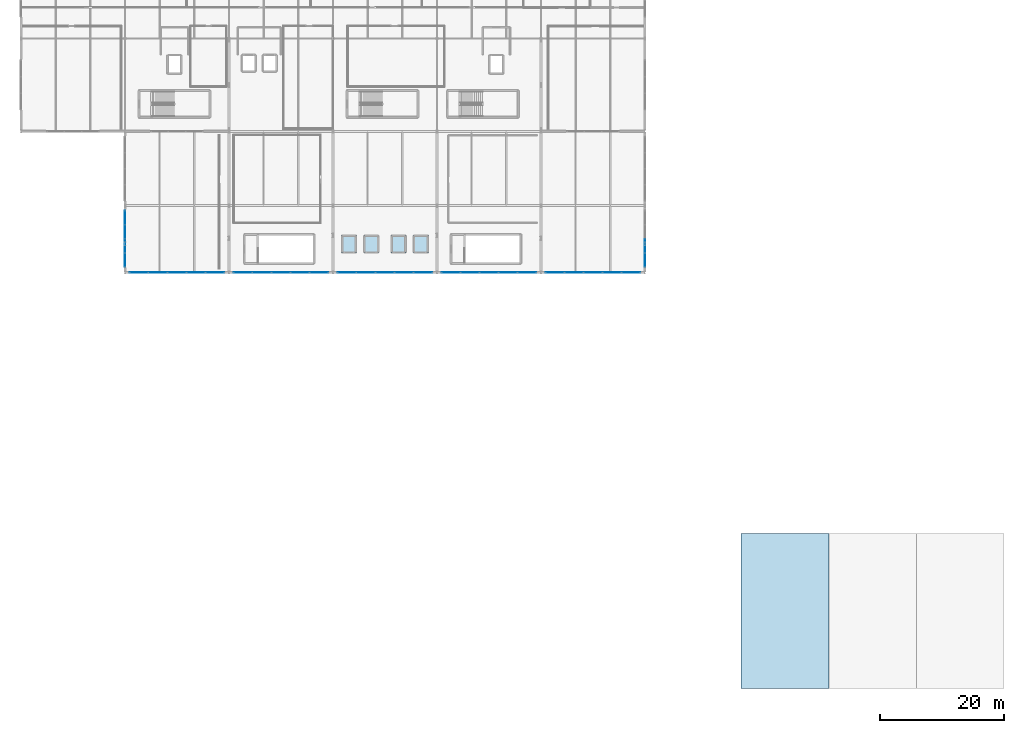
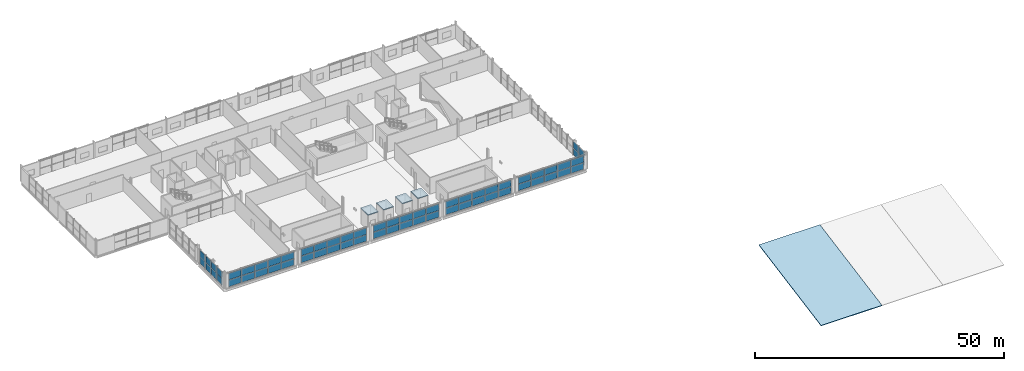
# One storey, part 26 of 39: 62 plates, 5 slabs, 7 elements without a shape of their own.
"""IFC4 building model written with IfcOpenShell, lengths in metres."""

from ifc_helpers import new_model, si_unit, direction, frame, origin, origin_2d, place, context, subcontext, project, spatial, polyline, rectangle, outline, extrude, material, layer, layer_set, type_object, element, aggregate, save


model = new_model("IFC4")

# Units and contexts
model_context = context("Model", 3, precision=1e-05, world=origin(), true_north=direction((0.0, 1.0)))
body_context = subcontext(model_context, "Body", "Model", "MODEL_VIEW")
ifc_project = project(units=[si_unit("LENGTHUNIT", "METRE"), si_unit("AREAUNIT", "SQUARE_METRE"), si_unit("VOLUMEUNIT", "CUBIC_METRE"), si_unit("PLANEANGLEUNIT", "RADIAN"), si_unit("MASSUNIT", "GRAM", prefix="KILO")], contexts=[model_context])

# Site, building, storey
site_placement = place(None, origin())
site = spatial("IfcSite", under=ifc_project, at=site_placement, CompositionType="ELEMENT")
building_placement = place(site_placement, origin())
building = spatial("IfcBuilding", under=site, at=building_placement, Name="Kimbaza Rail Terminus", CompositionType="ELEMENT")
storey_placement = place(building_placement, frame((0.0, 0.0, 16.800048828125)))
storey = spatial("IfcBuildingStorey", under=building, at=storey_placement, Name="L03", CompositionType="ELEMENT", Elevation=16.800048828125)

# Curtain wall, plates
ifc_material_1 = material(Name="Anodised aluminium framing and solar low-E glazing", Category="aluminium")
curtain_wall_type = type_object("IfcCurtainWallType", Name="ARC-CW-BRG", PredefinedType="USERDEFINED", material=ifc_material_1)
curtain_wall_1_placement = place(storey_placement, origin())
curtain_wall_1 = element("IfcCurtainWall", 1, at=curtain_wall_1_placement, inside=storey, type_object=curtain_wall_type, Name="Over-Track Footbridge W Panoramic Curtain Wall 1", ObjectType="UNITISED CURTAIN WALL", PredefinedType="USERDEFINED")
ifc_material_2 = material(Name="Solar-control double low-E glazing", Category="glass")
ifc_layer_1 = layer(ifc_material_2, 0.030029296875)
ifc_layer_set_1 = layer_set([ifc_layer_1], Name="Solar-control double low-E glazing")
plate_type = type_object("IfcPlateType", Name="ARC-CWP-03", PredefinedType="CURTAIN_PANEL", material=ifc_layer_set_1)
plate_1_placement = place(storey_placement, frame((72.0, 82.219482421875, 0.06787109375), z_axis=(0.0, 0.0, 1.0), x_axis=(0.0, 1.0, 0.0)))
plate_1 = element("IfcPlate", 2, at=plate_1_placement, type_object=plate_type, Name="CW-03 panel 1.1", PredefinedType="CURTAIN_PANEL", context=body_context, shape_type="SweptSolid", body=[
    extrude(rectangle(XDim=2.18310546875, YDim=0.030029296875, at=origin_2d()), origin(), (0.0, 0.0, 1.0), 1.5830078125),
])
plate_2_placement = place(storey_placement, frame((72.0, 82.219482421875, 1.718994140625), z_axis=(0.0, 0.0, 1.0), x_axis=(0.0, 1.0, 0.0)))
plate_2 = element("IfcPlate", 3, at=plate_2_placement, type_object=plate_type, Name="CW-03 panel 1.2", PredefinedType="CURTAIN_PANEL", context=body_context, shape_type="SweptSolid", body=[
    extrude(rectangle(XDim=2.18310546875, YDim=0.030029296875, at=origin_2d()), origin(), (0.0, 0.0, 1.0), 1.5830078125),
])
plate_3_placement = place(storey_placement, frame((72.0, 84.487548828125, 0.06787109375), z_axis=(0.0, 0.0, 1.0), x_axis=(0.0, 1.0, 0.0)))
plate_3 = element("IfcPlate", 4, at=plate_3_placement, type_object=plate_type, Name="CW-03 panel 2.1", PredefinedType="CURTAIN_PANEL", context=body_context, shape_type="SweptSolid", body=[
    extrude(rectangle(XDim=2.217041015625, YDim=0.030029296875, at=origin_2d()), origin(), (0.0, 0.0, 1.0), 1.5830078125),
])
plate_4_placement = place(storey_placement, frame((72.0, 84.487548828125, 1.718994140625), z_axis=(0.0, 0.0, 1.0), x_axis=(0.0, 1.0, 0.0)))
plate_4 = element("IfcPlate", 5, at=plate_4_placement, type_object=plate_type, Name="CW-03 panel 2.2", PredefinedType="CURTAIN_PANEL", context=body_context, shape_type="SweptSolid", body=[
    extrude(rectangle(XDim=2.217041015625, YDim=0.030029296875, at=origin_2d()), origin(), (0.0, 0.0, 1.0), 1.5830078125),
])
plate_5_placement = place(storey_placement, frame((72.0, 86.7724609375, 0.06787109375), z_axis=(0.0, 0.0, 1.0), x_axis=(0.0, 1.0, 0.0)))
plate_5 = element("IfcPlate", 6, at=plate_5_placement, type_object=plate_type, Name="CW-03 panel 3.1", PredefinedType="CURTAIN_PANEL", context=body_context, shape_type="SweptSolid", body=[
    extrude(rectangle(XDim=2.217041015625, YDim=0.030029296875, at=origin_2d()), origin(), (0.0, 0.0, 1.0), 1.5830078125),
])
plate_6_placement = place(storey_placement, frame((72.0, 86.7724609375, 1.718994140625), z_axis=(0.0, 0.0, 1.0), x_axis=(0.0, 1.0, 0.0)))
plate_6 = element("IfcPlate", 7, at=plate_6_placement, type_object=plate_type, Name="CW-03 panel 3.2", PredefinedType="CURTAIN_PANEL", context=body_context, shape_type="SweptSolid", body=[
    extrude(rectangle(XDim=2.217041015625, YDim=0.030029296875, at=origin_2d()), origin(), (0.0, 0.0, 1.0), 1.5830078125),
])
plate_7_placement = place(storey_placement, frame((72.0, 89.04052734375, 0.06787109375), z_axis=(0.0, 0.0, 1.0), x_axis=(0.0, 1.0, 0.0)))
plate_7 = element("IfcPlate", 8, at=plate_7_placement, type_object=plate_type, Name="CW-03 panel 4.1", PredefinedType="CURTAIN_PANEL", context=body_context, shape_type="SweptSolid", body=[
    extrude(rectangle(XDim=2.18310546875, YDim=0.030029296875, at=origin_2d()), origin(), (0.0, 0.0, 1.0), 1.5830078125),
])
plate_8_placement = place(storey_placement, frame((72.0, 89.04052734375, 1.718994140625), z_axis=(0.0, 0.0, 1.0), x_axis=(0.0, 1.0, 0.0)))
plate_8 = element("IfcPlate", 9, at=plate_8_placement, type_object=plate_type, Name="CW-03 panel 4.2", PredefinedType="CURTAIN_PANEL", context=body_context, shape_type="SweptSolid", body=[
    extrude(rectangle(XDim=2.18310546875, YDim=0.030029296875, at=origin_2d()), origin(), (0.0, 0.0, 1.0), 1.5830078125),
])
aggregate(curtain_wall_1, [plate_1, plate_2, plate_3, plate_4, plate_5, plate_6, plate_7, plate_8])

curtain_wall_2_placement = place(storey_placement, origin())
curtain_wall_2 = element("IfcCurtainWall", 10, at=curtain_wall_2_placement, inside=storey, type_object=curtain_wall_type, Name="Over-Track Footbridge E Panoramic Curtain Wall 1", ObjectType="UNITISED CURTAIN WALL", PredefinedType="USERDEFINED")
plate_9_placement = place(storey_placement, frame((156.0, 82.219482421875, 0.06787109375), z_axis=(0.0, 0.0, 1.0), x_axis=(0.0, 1.0, 0.0)))
plate_9 = element("IfcPlate", 11, at=plate_9_placement, type_object=plate_type, Name="CW-03 panel 1.1", PredefinedType="CURTAIN_PANEL", context=body_context, shape_type="SweptSolid", body=[
    extrude(rectangle(XDim=2.18310546875, YDim=0.030029296875, at=origin_2d()), origin(), (0.0, 0.0, 1.0), 1.623046875),
])
plate_10_placement = place(storey_placement, frame((156.0, 82.219482421875, 1.759033203125), z_axis=(0.0, 0.0, 1.0), x_axis=(0.0, 1.0, 0.0)))
plate_10 = element("IfcPlate", 12, at=plate_10_placement, type_object=plate_type, Name="CW-03 panel 1.2", PredefinedType="CURTAIN_PANEL", context=body_context, shape_type="SweptSolid", body=[
    extrude(rectangle(XDim=2.18310546875, YDim=0.030029296875, at=origin_2d()), origin(), (0.0, 0.0, 1.0), 1.623046875),
])
plate_11_placement = place(storey_placement, frame((156.0, 84.487548828125, 0.06787109375), z_axis=(0.0, 0.0, 1.0), x_axis=(0.0, 1.0, 0.0)))
plate_11 = element("IfcPlate", 13, at=plate_11_placement, type_object=plate_type, Name="CW-03 panel 2.1", PredefinedType="CURTAIN_PANEL", context=body_context, shape_type="SweptSolid", body=[
    extrude(rectangle(XDim=2.217041015625, YDim=0.030029296875, at=origin_2d()), origin(), (0.0, 0.0, 1.0), 1.623046875),
])
plate_12_placement = place(storey_placement, frame((156.0, 84.487548828125, 1.759033203125), z_axis=(0.0, 0.0, 1.0), x_axis=(0.0, 1.0, 0.0)))
plate_12 = element("IfcPlate", 14, at=plate_12_placement, type_object=plate_type, Name="CW-03 panel 2.2", PredefinedType="CURTAIN_PANEL", context=body_context, shape_type="SweptSolid", body=[
    extrude(rectangle(XDim=2.217041015625, YDim=0.030029296875, at=origin_2d()), origin(), (0.0, 0.0, 1.0), 1.623046875),
])
aggregate(curtain_wall_2, [plate_9, plate_10, plate_11, plate_12])

curtain_wall_3_placement = place(storey_placement, origin())
curtain_wall_3 = element("IfcCurtainWall", 15, at=curtain_wall_3_placement, inside=storey, type_object=curtain_wall_type, Name="Over-Track Footbridge South Curtain Wall 1", ObjectType="UNITISED CURTAIN WALL", PredefinedType="USERDEFINED")
plate_13_placement = place(storey_placement, frame((74.27294921875, 80.199951171875, 0.06787109375), z_axis=(0.0, 0.0, 1.0), x_axis=(1.0, 0.0, 0.0)))
plate_13 = element("IfcPlate", 16, at=plate_13_placement, type_object=plate_type, Name="CW-03 panel 1.1", PredefinedType="CURTAIN_PANEL", context=body_context, shape_type="SweptSolid", body=[
    extrude(rectangle(XDim=2.969970703125, YDim=0.030029296875, at=origin_2d()), origin(), (0.0, 0.0, 1.0), 1.623046875),
])
plate_14_placement = place(storey_placement, frame((74.27294921875, 80.199951171875, 1.759033203125), z_axis=(0.0, 0.0, 1.0), x_axis=(1.0, 0.0, 0.0)))
plate_14 = element("IfcPlate", 17, at=plate_14_placement, type_object=plate_type, Name="CW-03 panel 1.2", PredefinedType="CURTAIN_PANEL", context=body_context, shape_type="SweptSolid", body=[
    extrude(rectangle(XDim=2.969970703125, YDim=0.030029296875, at=origin_2d()), origin(), (0.0, 0.0, 1.0), 1.623046875),
])
plate_15_placement = place(storey_placement, frame((77.327880859375, 80.199951171875, 0.06787109375), z_axis=(0.0, 0.0, 1.0), x_axis=(1.0, 0.0, 0.0)))
plate_15 = element("IfcPlate", 18, at=plate_15_placement, type_object=plate_type, Name="CW-03 panel 2.1", PredefinedType="CURTAIN_PANEL", context=body_context, shape_type="SweptSolid", body=[
    extrude(rectangle(XDim=3.00390625, YDim=0.030029296875, at=origin_2d()), origin(), (0.0, 0.0, 1.0), 1.623046875),
])
plate_16_placement = place(storey_placement, frame((77.327880859375, 80.199951171875, 1.759033203125), z_axis=(0.0, 0.0, 1.0), x_axis=(1.0, 0.0, 0.0)))
plate_16 = element("IfcPlate", 19, at=plate_16_placement, type_object=plate_type, Name="CW-03 panel 2.2", PredefinedType="CURTAIN_PANEL", context=body_context, shape_type="SweptSolid", body=[
    extrude(rectangle(XDim=3.00390625, YDim=0.030029296875, at=origin_2d()), origin(), (0.0, 0.0, 1.0), 1.623046875),
])
plate_17_placement = place(storey_placement, frame((80.39990234375, 80.199951171875, 0.06787109375), z_axis=(0.0, 0.0, 1.0), x_axis=(1.0, 0.0, 0.0)))
plate_17 = element("IfcPlate", 20, at=plate_17_placement, type_object=plate_type, Name="CW-03 panel 3.1", PredefinedType="CURTAIN_PANEL", context=body_context, shape_type="SweptSolid", body=[
    extrude(rectangle(XDim=3.00390625, YDim=0.030029296875, at=origin_2d()), origin(), (0.0, 0.0, 1.0), 1.623046875),
])
plate_18_placement = place(storey_placement, frame((80.39990234375, 80.199951171875, 1.759033203125), z_axis=(0.0, 0.0, 1.0), x_axis=(1.0, 0.0, 0.0)))
plate_18 = element("IfcPlate", 21, at=plate_18_placement, type_object=plate_type, Name="CW-03 panel 3.2", PredefinedType="CURTAIN_PANEL", context=body_context, shape_type="SweptSolid", body=[
    extrude(rectangle(XDim=3.00390625, YDim=0.030029296875, at=origin_2d()), origin(), (0.0, 0.0, 1.0), 1.623046875),
])
plate_19_placement = place(storey_placement, frame((83.471923828125, 80.199951171875, 0.06787109375), z_axis=(0.0, 0.0, 1.0), x_axis=(1.0, 0.0, 0.0)))
plate_19 = element("IfcPlate", 22, at=plate_19_placement, type_object=plate_type, Name="CW-03 panel 4.1", PredefinedType="CURTAIN_PANEL", context=body_context, shape_type="SweptSolid", body=[
    extrude(rectangle(XDim=3.00390625, YDim=0.030029296875, at=origin_2d()), origin(), (0.0, 0.0, 1.0), 1.623046875),
])
plate_20_placement = place(storey_placement, frame((83.471923828125, 80.199951171875, 1.759033203125), z_axis=(0.0, 0.0, 1.0), x_axis=(1.0, 0.0, 0.0)))
plate_20 = element("IfcPlate", 23, at=plate_20_placement, type_object=plate_type, Name="CW-03 panel 4.2", PredefinedType="CURTAIN_PANEL", context=body_context, shape_type="SweptSolid", body=[
    extrude(rectangle(XDim=3.00390625, YDim=0.030029296875, at=origin_2d()), origin(), (0.0, 0.0, 1.0), 1.623046875),
])
plate_21_placement = place(storey_placement, frame((86.527099609375, 80.199951171875, 0.06787109375), z_axis=(0.0, 0.0, 1.0), x_axis=(1.0, 0.0, 0.0)))
plate_21 = element("IfcPlate", 24, at=plate_21_placement, type_object=plate_type, Name="CW-03 panel 5.1", PredefinedType="CURTAIN_PANEL", context=body_context, shape_type="SweptSolid", body=[
    extrude(rectangle(XDim=2.969970703125, YDim=0.030029296875, at=origin_2d()), origin(), (0.0, 0.0, 1.0), 1.623046875),
])
plate_22_placement = place(storey_placement, frame((86.527099609375, 80.199951171875, 1.759033203125), z_axis=(0.0, 0.0, 1.0), x_axis=(1.0, 0.0, 0.0)))
plate_22 = element("IfcPlate", 25, at=plate_22_placement, type_object=plate_type, Name="CW-03 panel 5.2", PredefinedType="CURTAIN_PANEL", context=body_context, shape_type="SweptSolid", body=[
    extrude(rectangle(XDim=2.969970703125, YDim=0.030029296875, at=origin_2d()), origin(), (0.0, 0.0, 1.0), 1.623046875),
])
aggregate(curtain_wall_3, [plate_13, plate_14, plate_15, plate_16, plate_17, plate_18, plate_19, plate_20, plate_21, plate_22])

curtain_wall_4_placement = place(storey_placement, origin())
curtain_wall_4 = element("IfcCurtainWall", 26, at=curtain_wall_4_placement, inside=storey, type_object=curtain_wall_type, Name="Over-Track Footbridge South Curtain Wall 2", ObjectType="UNITISED CURTAIN WALL", PredefinedType="USERDEFINED")
plate_23_placement = place(storey_placement, frame((91.072998046875, 80.199951171875, 0.06787109375), z_axis=(0.0, 0.0, 1.0), x_axis=(1.0, 0.0, 0.0)))
plate_23 = element("IfcPlate", 27, at=plate_23_placement, type_object=plate_type, Name="CW-03 panel 1.1", PredefinedType="CURTAIN_PANEL", context=body_context, shape_type="SweptSolid", body=[
    extrude(rectangle(XDim=2.969970703125, YDim=0.030029296875, at=origin_2d()), origin(), (0.0, 0.0, 1.0), 1.623046875),
])
plate_24_placement = place(storey_placement, frame((91.072998046875, 80.199951171875, 1.759033203125), z_axis=(0.0, 0.0, 1.0), x_axis=(1.0, 0.0, 0.0)))
plate_24 = element("IfcPlate", 28, at=plate_24_placement, type_object=plate_type, Name="CW-03 panel 1.2", PredefinedType="CURTAIN_PANEL", context=body_context, shape_type="SweptSolid", body=[
    extrude(rectangle(XDim=2.969970703125, YDim=0.030029296875, at=origin_2d()), origin(), (0.0, 0.0, 1.0), 1.623046875),
])
plate_25_placement = place(storey_placement, frame((94.1279296875, 80.199951171875, 0.06787109375), z_axis=(0.0, 0.0, 1.0), x_axis=(1.0, 0.0, 0.0)))
plate_25 = element("IfcPlate", 29, at=plate_25_placement, type_object=plate_type, Name="CW-03 panel 2.1", PredefinedType="CURTAIN_PANEL", context=body_context, shape_type="SweptSolid", body=[
    extrude(rectangle(XDim=3.00390625, YDim=0.030029296875, at=origin_2d()), origin(), (0.0, 0.0, 1.0), 1.623046875),
])
plate_26_placement = place(storey_placement, frame((94.1279296875, 80.199951171875, 1.759033203125), z_axis=(0.0, 0.0, 1.0), x_axis=(1.0, 0.0, 0.0)))
plate_26 = element("IfcPlate", 30, at=plate_26_placement, type_object=plate_type, Name="CW-03 panel 2.2", PredefinedType="CURTAIN_PANEL", context=body_context, shape_type="SweptSolid", body=[
    extrude(rectangle(XDim=3.00390625, YDim=0.030029296875, at=origin_2d()), origin(), (0.0, 0.0, 1.0), 1.623046875),
])
plate_27_placement = place(storey_placement, frame((97.199951171875, 80.199951171875, 0.06787109375), z_axis=(0.0, 0.0, 1.0), x_axis=(1.0, 0.0, 0.0)))
plate_27 = element("IfcPlate", 31, at=plate_27_placement, type_object=plate_type, Name="CW-03 panel 3.1", PredefinedType="CURTAIN_PANEL", context=body_context, shape_type="SweptSolid", body=[
    extrude(rectangle(XDim=3.00390625, YDim=0.030029296875, at=origin_2d()), origin(), (0.0, 0.0, 1.0), 1.623046875),
])
plate_28_placement = place(storey_placement, frame((97.199951171875, 80.199951171875, 1.759033203125), z_axis=(0.0, 0.0, 1.0), x_axis=(1.0, 0.0, 0.0)))
plate_28 = element("IfcPlate", 32, at=plate_28_placement, type_object=plate_type, Name="CW-03 panel 3.2", PredefinedType="CURTAIN_PANEL", context=body_context, shape_type="SweptSolid", body=[
    extrude(rectangle(XDim=3.00390625, YDim=0.030029296875, at=origin_2d()), origin(), (0.0, 0.0, 1.0), 1.623046875),
])
plate_29_placement = place(storey_placement, frame((100.27197265625, 80.199951171875, 0.06787109375), z_axis=(0.0, 0.0, 1.0), x_axis=(1.0, 0.0, 0.0)))
plate_29 = element("IfcPlate", 33, at=plate_29_placement, type_object=plate_type, Name="CW-03 panel 4.1", PredefinedType="CURTAIN_PANEL", context=body_context, shape_type="SweptSolid", body=[
    extrude(rectangle(XDim=3.00390625, YDim=0.030029296875, at=origin_2d()), origin(), (0.0, 0.0, 1.0), 1.623046875),
])
plate_30_placement = place(storey_placement, frame((100.27197265625, 80.199951171875, 1.759033203125), z_axis=(0.0, 0.0, 1.0), x_axis=(1.0, 0.0, 0.0)))
plate_30 = element("IfcPlate", 34, at=plate_30_placement, type_object=plate_type, Name="CW-03 panel 4.2", PredefinedType="CURTAIN_PANEL", context=body_context, shape_type="SweptSolid", body=[
    extrude(rectangle(XDim=3.00390625, YDim=0.030029296875, at=origin_2d()), origin(), (0.0, 0.0, 1.0), 1.623046875),
])
plate_31_placement = place(storey_placement, frame((103.326904296875, 80.199951171875, 0.06787109375), z_axis=(0.0, 0.0, 1.0), x_axis=(1.0, 0.0, 0.0)))
plate_31 = element("IfcPlate", 35, at=plate_31_placement, type_object=plate_type, Name="CW-03 panel 5.1", PredefinedType="CURTAIN_PANEL", context=body_context, shape_type="SweptSolid", body=[
    extrude(rectangle(XDim=2.969970703125, YDim=0.030029296875, at=origin_2d()), origin(), (0.0, 0.0, 1.0), 1.623046875),
])
plate_32_placement = place(storey_placement, frame((103.326904296875, 80.199951171875, 1.759033203125), z_axis=(0.0, 0.0, 1.0), x_axis=(1.0, 0.0, 0.0)))
plate_32 = element("IfcPlate", 36, at=plate_32_placement, type_object=plate_type, Name="CW-03 panel 5.2", PredefinedType="CURTAIN_PANEL", context=body_context, shape_type="SweptSolid", body=[
    extrude(rectangle(XDim=2.969970703125, YDim=0.030029296875, at=origin_2d()), origin(), (0.0, 0.0, 1.0), 1.623046875),
])
aggregate(curtain_wall_4, [plate_23, plate_24, plate_25, plate_26, plate_27, plate_28, plate_29, plate_30, plate_31, plate_32])

curtain_wall_5_placement = place(storey_placement, origin())
curtain_wall_5 = element("IfcCurtainWall", 37, at=curtain_wall_5_placement, inside=storey, type_object=curtain_wall_type, Name="Over-Track Footbridge South Curtain Wall 3", ObjectType="UNITISED CURTAIN WALL", PredefinedType="USERDEFINED")
plate_33_placement = place(storey_placement, frame((107.873046875, 80.199951171875, 0.06787109375), z_axis=(0.0, 0.0, 1.0), x_axis=(1.0, 0.0, 0.0)))
plate_33 = element("IfcPlate", 38, at=plate_33_placement, type_object=plate_type, Name="CW-03 panel 1.1", PredefinedType="CURTAIN_PANEL", context=body_context, shape_type="SweptSolid", body=[
    extrude(rectangle(XDim=2.969970703125, YDim=0.030029296875, at=origin_2d()), origin(), (0.0, 0.0, 1.0), 1.623046875),
])
plate_34_placement = place(storey_placement, frame((107.873046875, 80.199951171875, 1.759033203125), z_axis=(0.0, 0.0, 1.0), x_axis=(1.0, 0.0, 0.0)))
plate_34 = element("IfcPlate", 39, at=plate_34_placement, type_object=plate_type, Name="CW-03 panel 1.2", PredefinedType="CURTAIN_PANEL", context=body_context, shape_type="SweptSolid", body=[
    extrude(rectangle(XDim=2.969970703125, YDim=0.030029296875, at=origin_2d()), origin(), (0.0, 0.0, 1.0), 1.623046875),
])
plate_35_placement = place(storey_placement, frame((110.927978515625, 80.199951171875, 0.06787109375), z_axis=(0.0, 0.0, 1.0), x_axis=(1.0, 0.0, 0.0)))
plate_35 = element("IfcPlate", 40, at=plate_35_placement, type_object=plate_type, Name="CW-03 panel 2.1", PredefinedType="CURTAIN_PANEL", context=body_context, shape_type="SweptSolid", body=[
    extrude(rectangle(XDim=3.00390625, YDim=0.030029296875, at=origin_2d()), origin(), (0.0, 0.0, 1.0), 1.623046875),
])
plate_36_placement = place(storey_placement, frame((110.927978515625, 80.199951171875, 1.759033203125), z_axis=(0.0, 0.0, 1.0), x_axis=(1.0, 0.0, 0.0)))
plate_36 = element("IfcPlate", 41, at=plate_36_placement, type_object=plate_type, Name="CW-03 panel 2.2", PredefinedType="CURTAIN_PANEL", context=body_context, shape_type="SweptSolid", body=[
    extrude(rectangle(XDim=3.00390625, YDim=0.030029296875, at=origin_2d()), origin(), (0.0, 0.0, 1.0), 1.623046875),
])
plate_37_placement = place(storey_placement, frame((114.0, 80.199951171875, 0.06787109375), z_axis=(0.0, 0.0, 1.0), x_axis=(1.0, 0.0, 0.0)))
plate_37 = element("IfcPlate", 42, at=plate_37_placement, type_object=plate_type, Name="CW-03 panel 3.1", PredefinedType="CURTAIN_PANEL", context=body_context, shape_type="SweptSolid", body=[
    extrude(rectangle(XDim=3.00390625, YDim=0.030029296875, at=origin_2d()), origin(), (0.0, 0.0, 1.0), 1.623046875),
])
plate_38_placement = place(storey_placement, frame((114.0, 80.199951171875, 1.759033203125), z_axis=(0.0, 0.0, 1.0), x_axis=(1.0, 0.0, 0.0)))
plate_38 = element("IfcPlate", 43, at=plate_38_placement, type_object=plate_type, Name="CW-03 panel 3.2", PredefinedType="CURTAIN_PANEL", context=body_context, shape_type="SweptSolid", body=[
    extrude(rectangle(XDim=3.00390625, YDim=0.030029296875, at=origin_2d()), origin(), (0.0, 0.0, 1.0), 1.623046875),
])
plate_39_placement = place(storey_placement, frame((117.072021484375, 80.199951171875, 0.06787109375), z_axis=(0.0, 0.0, 1.0), x_axis=(1.0, 0.0, 0.0)))
plate_39 = element("IfcPlate", 44, at=plate_39_placement, type_object=plate_type, Name="CW-03 panel 4.1", PredefinedType="CURTAIN_PANEL", context=body_context, shape_type="SweptSolid", body=[
    extrude(rectangle(XDim=3.00390625, YDim=0.030029296875, at=origin_2d()), origin(), (0.0, 0.0, 1.0), 1.623046875),
])
plate_40_placement = place(storey_placement, frame((117.072021484375, 80.199951171875, 1.759033203125), z_axis=(0.0, 0.0, 1.0), x_axis=(1.0, 0.0, 0.0)))
plate_40 = element("IfcPlate", 45, at=plate_40_placement, type_object=plate_type, Name="CW-03 panel 4.2", PredefinedType="CURTAIN_PANEL", context=body_context, shape_type="SweptSolid", body=[
    extrude(rectangle(XDim=3.00390625, YDim=0.030029296875, at=origin_2d()), origin(), (0.0, 0.0, 1.0), 1.623046875),
])
plate_41_placement = place(storey_placement, frame((120.126953125, 80.199951171875, 0.06787109375), z_axis=(0.0, 0.0, 1.0), x_axis=(1.0, 0.0, 0.0)))
plate_41 = element("IfcPlate", 46, at=plate_41_placement, type_object=plate_type, Name="CW-03 panel 5.1", PredefinedType="CURTAIN_PANEL", context=body_context, shape_type="SweptSolid", body=[
    extrude(rectangle(XDim=2.969970703125, YDim=0.030029296875, at=origin_2d()), origin(), (0.0, 0.0, 1.0), 1.623046875),
])
plate_42_placement = place(storey_placement, frame((120.126953125, 80.199951171875, 1.759033203125), z_axis=(0.0, 0.0, 1.0), x_axis=(1.0, 0.0, 0.0)))
plate_42 = element("IfcPlate", 47, at=plate_42_placement, type_object=plate_type, Name="CW-03 panel 5.2", PredefinedType="CURTAIN_PANEL", context=body_context, shape_type="SweptSolid", body=[
    extrude(rectangle(XDim=2.969970703125, YDim=0.030029296875, at=origin_2d()), origin(), (0.0, 0.0, 1.0), 1.623046875),
])
aggregate(curtain_wall_5, [plate_33, plate_34, plate_35, plate_36, plate_37, plate_38, plate_39, plate_40, plate_41, plate_42])

curtain_wall_6_placement = place(storey_placement, origin())
curtain_wall_6 = element("IfcCurtainWall", 48, at=curtain_wall_6_placement, inside=storey, type_object=curtain_wall_type, Name="Over-Track Footbridge South Curtain Wall 4", ObjectType="UNITISED CURTAIN WALL", PredefinedType="USERDEFINED")
plate_43_placement = place(storey_placement, frame((124.673095703125, 80.199951171875, 0.06787109375), z_axis=(0.0, 0.0, 1.0), x_axis=(1.0, 0.0, 0.0)))
plate_43 = element("IfcPlate", 49, at=plate_43_placement, type_object=plate_type, Name="CW-03 panel 1.1", PredefinedType="CURTAIN_PANEL", context=body_context, shape_type="SweptSolid", body=[
    extrude(rectangle(XDim=2.969970703125, YDim=0.030029296875, at=origin_2d()), origin(), (0.0, 0.0, 1.0), 1.623046875),
])
plate_44_placement = place(storey_placement, frame((124.673095703125, 80.199951171875, 1.759033203125), z_axis=(0.0, 0.0, 1.0), x_axis=(1.0, 0.0, 0.0)))
plate_44 = element("IfcPlate", 50, at=plate_44_placement, type_object=plate_type, Name="CW-03 panel 1.2", PredefinedType="CURTAIN_PANEL", context=body_context, shape_type="SweptSolid", body=[
    extrude(rectangle(XDim=2.969970703125, YDim=0.030029296875, at=origin_2d()), origin(), (0.0, 0.0, 1.0), 1.623046875),
])
plate_45_placement = place(storey_placement, frame((127.72802734375, 80.199951171875, 0.06787109375), z_axis=(0.0, 0.0, 1.0), x_axis=(1.0, 0.0, 0.0)))
plate_45 = element("IfcPlate", 51, at=plate_45_placement, type_object=plate_type, Name="CW-03 panel 2.1", PredefinedType="CURTAIN_PANEL", context=body_context, shape_type="SweptSolid", body=[
    extrude(rectangle(XDim=3.00390625, YDim=0.030029296875, at=origin_2d()), origin(), (0.0, 0.0, 1.0), 1.623046875),
])
plate_46_placement = place(storey_placement, frame((127.72802734375, 80.199951171875, 1.759033203125), z_axis=(0.0, 0.0, 1.0), x_axis=(1.0, 0.0, 0.0)))
plate_46 = element("IfcPlate", 52, at=plate_46_placement, type_object=plate_type, Name="CW-03 panel 2.2", PredefinedType="CURTAIN_PANEL", context=body_context, shape_type="SweptSolid", body=[
    extrude(rectangle(XDim=3.00390625, YDim=0.030029296875, at=origin_2d()), origin(), (0.0, 0.0, 1.0), 1.623046875),
])
plate_47_placement = place(storey_placement, frame((130.800048828125, 80.199951171875, 0.06787109375), z_axis=(0.0, 0.0, 1.0), x_axis=(1.0, 0.0, 0.0)))
plate_47 = element("IfcPlate", 53, at=plate_47_placement, type_object=plate_type, Name="CW-03 panel 3.1", PredefinedType="CURTAIN_PANEL", context=body_context, shape_type="SweptSolid", body=[
    extrude(rectangle(XDim=3.00390625, YDim=0.030029296875, at=origin_2d()), origin(), (0.0, 0.0, 1.0), 1.623046875),
])
plate_48_placement = place(storey_placement, frame((130.800048828125, 80.199951171875, 1.759033203125), z_axis=(0.0, 0.0, 1.0), x_axis=(1.0, 0.0, 0.0)))
plate_48 = element("IfcPlate", 54, at=plate_48_placement, type_object=plate_type, Name="CW-03 panel 3.2", PredefinedType="CURTAIN_PANEL", context=body_context, shape_type="SweptSolid", body=[
    extrude(rectangle(XDim=3.00390625, YDim=0.030029296875, at=origin_2d()), origin(), (0.0, 0.0, 1.0), 1.623046875),
])
plate_49_placement = place(storey_placement, frame((133.8720703125, 80.199951171875, 0.06787109375), z_axis=(0.0, 0.0, 1.0), x_axis=(1.0, 0.0, 0.0)))
plate_49 = element("IfcPlate", 55, at=plate_49_placement, type_object=plate_type, Name="CW-03 panel 4.1", PredefinedType="CURTAIN_PANEL", context=body_context, shape_type="SweptSolid", body=[
    extrude(rectangle(XDim=3.00390625, YDim=0.030029296875, at=origin_2d()), origin(), (0.0, 0.0, 1.0), 1.623046875),
])
plate_50_placement = place(storey_placement, frame((133.8720703125, 80.199951171875, 1.759033203125), z_axis=(0.0, 0.0, 1.0), x_axis=(1.0, 0.0, 0.0)))
plate_50 = element("IfcPlate", 56, at=plate_50_placement, type_object=plate_type, Name="CW-03 panel 4.2", PredefinedType="CURTAIN_PANEL", context=body_context, shape_type="SweptSolid", body=[
    extrude(rectangle(XDim=3.00390625, YDim=0.030029296875, at=origin_2d()), origin(), (0.0, 0.0, 1.0), 1.623046875),
])
plate_51_placement = place(storey_placement, frame((136.927001953125, 80.199951171875, 0.06787109375), z_axis=(0.0, 0.0, 1.0), x_axis=(1.0, 0.0, 0.0)))
plate_51 = element("IfcPlate", 57, at=plate_51_placement, type_object=plate_type, Name="CW-03 panel 5.1", PredefinedType="CURTAIN_PANEL", context=body_context, shape_type="SweptSolid", body=[
    extrude(rectangle(XDim=2.969970703125, YDim=0.030029296875, at=origin_2d()), origin(), (0.0, 0.0, 1.0), 1.623046875),
])
plate_52_placement = place(storey_placement, frame((136.927001953125, 80.199951171875, 1.759033203125), z_axis=(0.0, 0.0, 1.0), x_axis=(1.0, 0.0, 0.0)))
plate_52 = element("IfcPlate", 58, at=plate_52_placement, type_object=plate_type, Name="CW-03 panel 5.2", PredefinedType="CURTAIN_PANEL", context=body_context, shape_type="SweptSolid", body=[
    extrude(rectangle(XDim=2.969970703125, YDim=0.030029296875, at=origin_2d()), origin(), (0.0, 0.0, 1.0), 1.623046875),
])
aggregate(curtain_wall_6, [plate_43, plate_44, plate_45, plate_46, plate_47, plate_48, plate_49, plate_50, plate_51, plate_52])

curtain_wall_7_placement = place(storey_placement, origin())
curtain_wall_7 = element("IfcCurtainWall", 59, at=curtain_wall_7_placement, inside=storey, type_object=curtain_wall_type, Name="Over-Track Footbridge South Curtain Wall 5", ObjectType="UNITISED CURTAIN WALL", PredefinedType="USERDEFINED")
plate_53_placement = place(storey_placement, frame((141.472900390625, 80.199951171875, 0.06787109375), z_axis=(0.0, 0.0, 1.0), x_axis=(1.0, 0.0, 0.0)))
plate_53 = element("IfcPlate", 60, at=plate_53_placement, type_object=plate_type, Name="CW-03 panel 1.1", PredefinedType="CURTAIN_PANEL", context=body_context, shape_type="SweptSolid", body=[
    extrude(rectangle(XDim=2.969970703125, YDim=0.030029296875, at=origin_2d()), origin(), (0.0, 0.0, 1.0), 1.623046875),
])
plate_54_placement = place(storey_placement, frame((141.472900390625, 80.199951171875, 1.759033203125), z_axis=(0.0, 0.0, 1.0), x_axis=(1.0, 0.0, 0.0)))
plate_54 = element("IfcPlate", 61, at=plate_54_placement, type_object=plate_type, Name="CW-03 panel 1.2", PredefinedType="CURTAIN_PANEL", context=body_context, shape_type="SweptSolid", body=[
    extrude(rectangle(XDim=2.969970703125, YDim=0.030029296875, at=origin_2d()), origin(), (0.0, 0.0, 1.0), 1.623046875),
])
plate_55_placement = place(storey_placement, frame((144.528076171875, 80.199951171875, 0.06787109375), z_axis=(0.0, 0.0, 1.0), x_axis=(1.0, 0.0, 0.0)))
plate_55 = element("IfcPlate", 62, at=plate_55_placement, type_object=plate_type, Name="CW-03 panel 2.1", PredefinedType="CURTAIN_PANEL", context=body_context, shape_type="SweptSolid", body=[
    extrude(rectangle(XDim=3.00390625, YDim=0.030029296875, at=origin_2d()), origin(), (0.0, 0.0, 1.0), 1.623046875),
])
plate_56_placement = place(storey_placement, frame((144.528076171875, 80.199951171875, 1.759033203125), z_axis=(0.0, 0.0, 1.0), x_axis=(1.0, 0.0, 0.0)))
plate_56 = element("IfcPlate", 63, at=plate_56_placement, type_object=plate_type, Name="CW-03 panel 2.2", PredefinedType="CURTAIN_PANEL", context=body_context, shape_type="SweptSolid", body=[
    extrude(rectangle(XDim=3.00390625, YDim=0.030029296875, at=origin_2d()), origin(), (0.0, 0.0, 1.0), 1.623046875),
])
plate_57_placement = place(storey_placement, frame((147.60009765625, 80.199951171875, 0.06787109375), z_axis=(0.0, 0.0, 1.0), x_axis=(1.0, 0.0, 0.0)))
plate_57 = element("IfcPlate", 64, at=plate_57_placement, type_object=plate_type, Name="CW-03 panel 3.1", PredefinedType="CURTAIN_PANEL", context=body_context, shape_type="SweptSolid", body=[
    extrude(rectangle(XDim=3.00390625, YDim=0.030029296875, at=origin_2d()), origin(), (0.0, 0.0, 1.0), 1.623046875),
])
plate_58_placement = place(storey_placement, frame((147.60009765625, 80.199951171875, 1.759033203125), z_axis=(0.0, 0.0, 1.0), x_axis=(1.0, 0.0, 0.0)))
plate_58 = element("IfcPlate", 65, at=plate_58_placement, type_object=plate_type, Name="CW-03 panel 3.2", PredefinedType="CURTAIN_PANEL", context=body_context, shape_type="SweptSolid", body=[
    extrude(rectangle(XDim=3.00390625, YDim=0.030029296875, at=origin_2d()), origin(), (0.0, 0.0, 1.0), 1.623046875),
])
plate_59_placement = place(storey_placement, frame((150.672119140625, 80.199951171875, 0.06787109375), z_axis=(0.0, 0.0, 1.0), x_axis=(1.0, 0.0, 0.0)))
plate_59 = element("IfcPlate", 66, at=plate_59_placement, type_object=plate_type, Name="CW-03 panel 4.1", PredefinedType="CURTAIN_PANEL", context=body_context, shape_type="SweptSolid", body=[
    extrude(rectangle(XDim=3.00390625, YDim=0.030029296875, at=origin_2d()), origin(), (0.0, 0.0, 1.0), 1.623046875),
])
plate_60_placement = place(storey_placement, frame((150.672119140625, 80.199951171875, 1.759033203125), z_axis=(0.0, 0.0, 1.0), x_axis=(1.0, 0.0, 0.0)))
plate_60 = element("IfcPlate", 67, at=plate_60_placement, type_object=plate_type, Name="CW-03 panel 4.2", PredefinedType="CURTAIN_PANEL", context=body_context, shape_type="SweptSolid", body=[
    extrude(rectangle(XDim=3.00390625, YDim=0.030029296875, at=origin_2d()), origin(), (0.0, 0.0, 1.0), 1.623046875),
])
plate_61_placement = place(storey_placement, frame((153.72705078125, 80.199951171875, 0.06787109375), z_axis=(0.0, 0.0, 1.0), x_axis=(1.0, 0.0, 0.0)))
plate_61 = element("IfcPlate", 68, at=plate_61_placement, type_object=plate_type, Name="CW-03 panel 5.1", PredefinedType="CURTAIN_PANEL", context=body_context, shape_type="SweptSolid", body=[
    extrude(rectangle(XDim=2.969970703125, YDim=0.030029296875, at=origin_2d()), origin(), (0.0, 0.0, 1.0), 1.623046875),
])
plate_62_placement = place(storey_placement, frame((153.72705078125, 80.199951171875, 1.759033203125), z_axis=(0.0, 0.0, 1.0), x_axis=(1.0, 0.0, 0.0)))
plate_62 = element("IfcPlate", 69, at=plate_62_placement, type_object=plate_type, Name="CW-03 panel 5.2", PredefinedType="CURTAIN_PANEL", context=body_context, shape_type="SweptSolid", body=[
    extrude(rectangle(XDim=2.969970703125, YDim=0.030029296875, at=origin_2d()), origin(), (0.0, 0.0, 1.0), 1.623046875),
])
aggregate(curtain_wall_7, [plate_53, plate_54, plate_55, plate_56, plate_57, plate_58, plate_59, plate_60, plate_61, plate_62])

# Slabs
ifc_material_3 = material(Name="Concrete C40/50", Category="concrete")
ifc_layer_2 = layer(ifc_material_3, 0.155029296875)
ifc_layer_set_2 = layer_set([ifc_layer_2], Name="Concrete C40/50")
slab_type_1 = type_object("IfcSlabType", Name="STR-SL-OVR155", PredefinedType="ROOF", material=ifc_layer_set_2)
slab_1_placement = place(storey_placement, frame((0.0, 0.0, 3.675048828125)))
element("IfcSlab", 70, at=slab_1_placement, inside=storey, type_object=slab_type_1, Name="Lift Shaft Overrun Cap Slab LP-01", PredefinedType="ROOF", context=body_context, shape_type="SweptSolid", body=[
    extrude(outline(polyline([(107.0, 83.35009765625), (109.39990234375, 83.35009765625), (109.39990234375, 86.25), (107.0, 86.25), (107.0, 83.35009765625)])), origin(), (0.0, 0.0, 1.0), 0.15478515625),
])
slab_2_placement = place(storey_placement, frame((0.0, 0.0, 3.675048828125)))
element("IfcSlab", 71, at=slab_2_placement, inside=storey, type_object=slab_type_1, Name="Lift Shaft Overrun Cap Slab LP-02", PredefinedType="ROOF", context=body_context, shape_type="SweptSolid", body=[
    extrude(outline(polyline([(110.60009765625, 83.35009765625), (113.0, 83.35009765625), (113.0, 86.25), (110.60009765625, 86.25), (110.60009765625, 83.35009765625)])), origin(), (0.0, 0.0, 1.0), 0.15478515625),
])
slab_3_placement = place(storey_placement, frame((0.0, 0.0, 3.675048828125)))
element("IfcSlab", 72, at=slab_3_placement, inside=storey, type_object=slab_type_1, Name="Lift Shaft Overrun Cap Slab LP-03", PredefinedType="ROOF", context=body_context, shape_type="SweptSolid", body=[
    extrude(outline(polyline([(115.0, 83.35009765625), (117.39990234375, 83.35009765625), (117.39990234375, 86.25), (115.0, 86.25), (115.0, 83.35009765625)])), origin(), (0.0, 0.0, 1.0), 0.15478515625),
])
slab_4_placement = place(storey_placement, frame((0.0, 0.0, 3.675048828125)))
element("IfcSlab", 73, at=slab_4_placement, inside=storey, type_object=slab_type_1, Name="Lift Shaft Overrun Cap Slab LP-04", PredefinedType="ROOF", context=body_context, shape_type="SweptSolid", body=[
    extrude(outline(polyline([(118.60009765625, 83.35009765625), (121.0, 83.35009765625), (121.0, 86.25), (118.60009765625, 86.25), (118.60009765625, 83.35009765625)])), origin(), (0.0, 0.0, 1.0), 0.15478515625),
])
ifc_material_4 = material(Name="Concrete C40/50", Category="concrete")
ifc_layer_3 = layer(ifc_material_4, 0.159912109375)
ifc_layer_set_3 = layer_set([ifc_layer_3], Name="Concrete C40/50")
slab_type_2 = type_object("IfcSlabType", Name="STR-SL-RF160", PredefinedType="ROOF", material=ifc_layer_set_3)
slab_5_placement = place(storey_placement, frame((171.550048828125, 13.0, -3.25), z_axis=(0.0, -0.182860006491, 0.983138961707), x_axis=(1.0, 0.0, 0.0)))
element("IfcSlab", 74, at=slab_5_placement, inside=storey, type_object=slab_type_2, Name="Retail Pavilion Mono-Pitch Tropical Roof Bay 1", PredefinedType="ROOF", context=body_context, shape_type="SweptSolid", body=[
    extrude(outline(polyline([(0.0, 0.0), (14.14990234375, 0.0), (14.14990234375, 25.428755215433014), (0.0, 25.428755215433014), (0.0, 0.0)])), origin(), (0.0, 0.0, -1.0), 0.159912109375),
])

save(model, "model.ifc")
